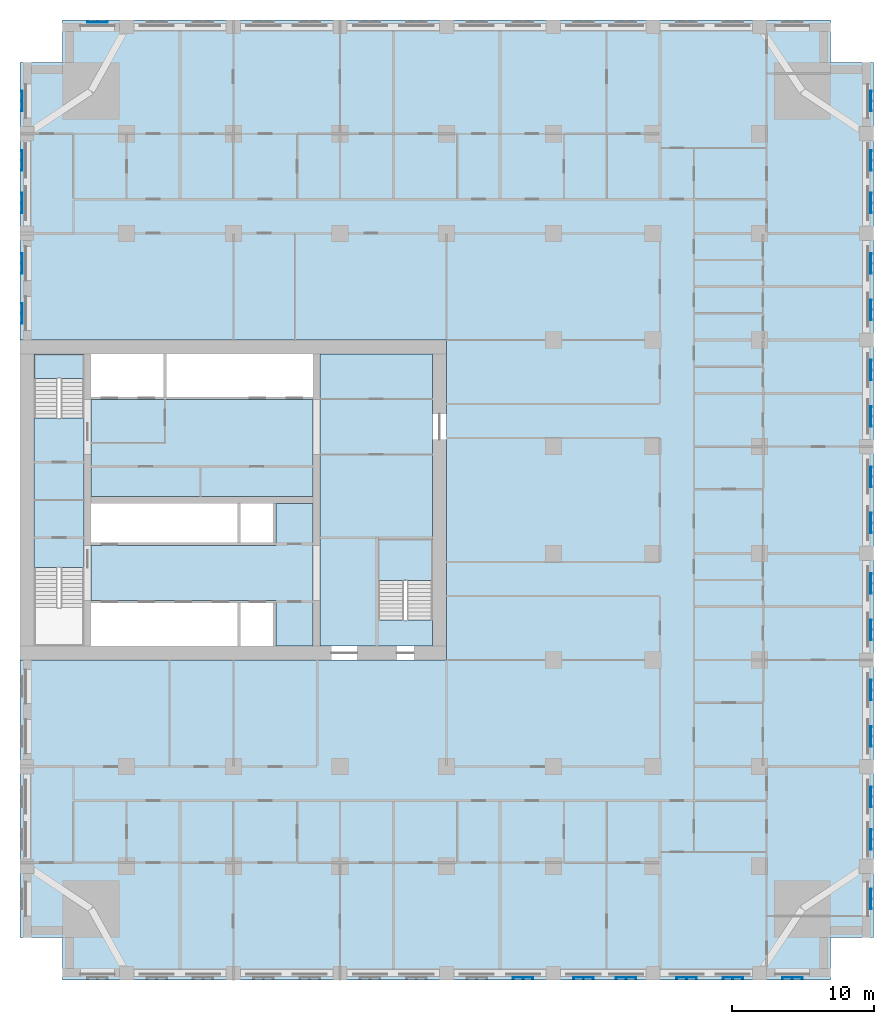
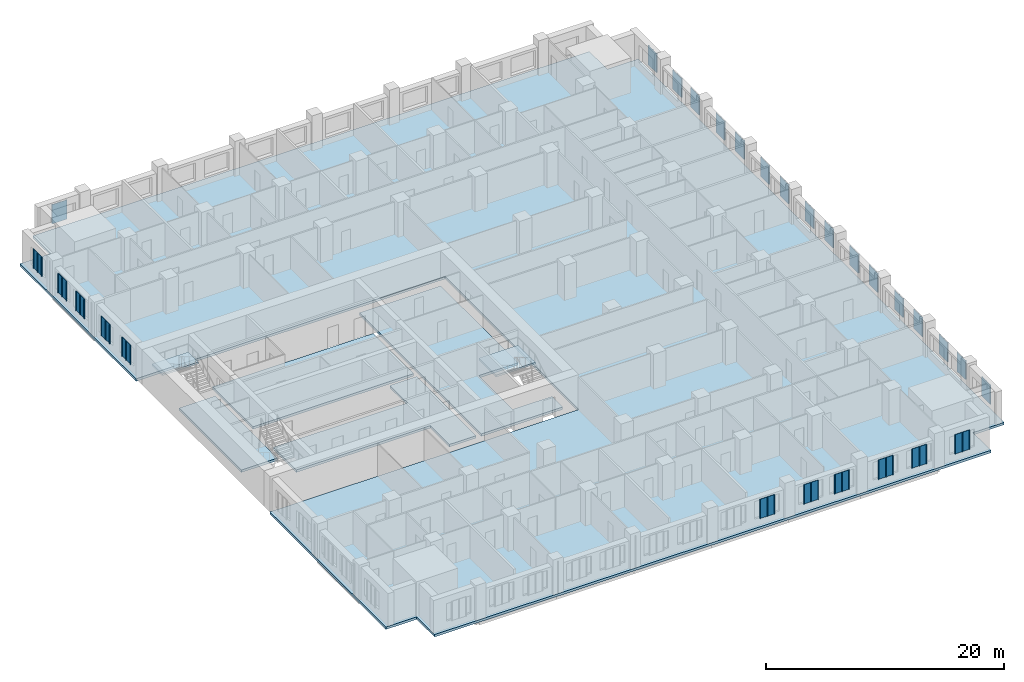
# One storey, part 2 of 14: 28 plates, 7 slabs, 2 elements without a shape of their own.
"""IFC4 building model written with IfcOpenShell, lengths in metres."""

from ifc_helpers import new_model, si_unit, direction, frame, origin, place, context, subcontext, project, spatial, polyline, outline, extrude, material, layer, layer_set, type_object, element, aggregate, save


model = new_model("IFC4")

# Units and contexts
model_context = context("Model", 3, precision=1e-05, world=origin(), true_north=direction((0.0, 1.0)))
body_context = subcontext(model_context, "Body", "Model", "MODEL_VIEW")
ifc_project = project(units=[si_unit("LENGTHUNIT", "METRE"), si_unit("AREAUNIT", "SQUARE_METRE"), si_unit("VOLUMEUNIT", "CUBIC_METRE"), si_unit("PLANEANGLEUNIT", "RADIAN"), si_unit("MASSUNIT", "GRAM", prefix="KILO")], contexts=[model_context])

# Site, building, storey
site_placement = place(None, origin())
site = spatial("IfcSite", under=ifc_project, at=site_placement, CompositionType="ELEMENT")
building_placement = place(site_placement, origin())
building = spatial("IfcBuilding", under=site, at=building_placement, Name="Tamorin Gate", CompositionType="ELEMENT")
storey_placement = place(building_placement, frame((0.0, 0.0, 41.199951171875)))
storey = spatial("IfcBuildingStorey", under=building, at=storey_placement, Name="L08", CompositionType="ELEMENT", Elevation=41.199951171875)

# Slabs
ifc_material_1 = material(Name="Concrete C40/50", Category="concrete")
ifc_layer_1 = layer(ifc_material_1, 0.25)
ifc_layer_set_1 = layer_set([ifc_layer_1], Name="Core floor slab 250 C40/50")
slab_type_1 = type_object("IfcSlabType", Name="Core floor slab 250 C40/50", PredefinedType="FLOOR", material=ifc_layer_set_1)
slab_1_placement = place(storey_placement, frame((0.0, 0.0, -0.25)))
element("IfcSlab", 1, at=slab_1_placement, inside=storey, type_object=slab_type_1, Name="Core floor L08", PredefinedType="FLOOR", context=body_context, shape_type="SweptSolid", body=[
    extrude(outline(polyline([(59.0, 62.800048828125), (59.0, 61.0), (51.10009765625, 61.0), (51.10009765625, 81.5), (59.0, 81.5), (59.0, 68.5), (55.199951171875, 68.5), (55.199951171875, 62.800048828125), (59.0, 62.800048828125)])), origin(), (0.0, 0.0, 1.0), 0.25),
])
slab_2_placement = place(storey_placement, frame((0.0, 0.0, -0.25)))
element("IfcSlab", 2, at=slab_2_placement, inside=storey, type_object=slab_type_1, Name="Core floor L08", PredefinedType="FLOOR", context=body_context, shape_type="SweptSolid", body=[
    extrude(outline(polyline([(50.60009765625, 61.0), (48.0, 61.0), (48.0, 64.199951171875), (35.0, 64.199951171875), (35.0, 68.050048828125), (48.0, 68.050048828125), (48.0, 71.0), (50.60009765625, 71.0), (50.60009765625, 61.0)])), origin(), (0.0, 0.0, 1.0), 0.25),
])
slab_3_placement = place(storey_placement, frame((0.0, 0.0, -0.25)))
element("IfcSlab", 3, at=slab_3_placement, inside=storey, type_object=slab_type_1, Name="Core floor L08", PredefinedType="FLOOR", context=body_context, shape_type="SweptSolid", body=[
    extrude(outline(polyline([(50.60009765625, 71.5), (35.0, 71.5), (35.0, 78.300048828125), (50.60009765625, 78.300048828125), (50.60009765625, 71.5)])), origin(), (0.0, 0.0, 1.0), 0.25),
])
slab_4_placement = place(storey_placement, frame((0.0, 0.0, -0.25)))
element("IfcSlab", 4, at=slab_4_placement, inside=storey, type_object=slab_type_1, Name="Core floor L08", PredefinedType="FLOOR", context=body_context, shape_type="SweptSolid", body=[
    extrude(outline(polyline([(31.0, 66.5), (31.0, 77.0), (34.5, 77.0), (34.5, 66.5), (31.0, 66.5)])), origin(), (0.0, 0.0, 1.0), 0.25),
])

# Stair, slab
stair_type = type_object("IfcStairType", Name="Exit stair", PredefinedType="HALF_TURN_STAIR", material=ifc_material_1)
stair_1_placement = place(storey_placement, origin())
stair_1 = element("IfcStair", 5, at=stair_1_placement, inside=storey, type_object=stair_type, Name="L08 stair ST2", PredefinedType="HALF_TURN_STAIR")
ifc_layer_2 = layer(ifc_material_1, 0.199951171875)
ifc_layer_set_2 = layer_set([ifc_layer_2], Name="Exit stair landing 200")
slab_type_2 = type_object("IfcSlabType", Name="Exit stair landing 200", PredefinedType="LANDING", material=ifc_layer_set_2)
slab_5_placement = place(storey_placement, frame((0.0, 0.0, 1.60009765625)))
slab_5 = element("IfcSlab", 6, at=slab_5_placement, type_object=slab_type_2, Name="ST2 landing 1", PredefinedType="LANDING", context=body_context, shape_type="SweptSolid", body=[
    extrude(outline(polyline([(34.5, 79.800048828125), (34.5, 81.5), (31.0, 81.5), (31.0, 79.800048828125), (34.5, 79.800048828125)])), origin(), (0.0, 0.0, 1.0), 0.199951171875),
])
aggregate(stair_1, [slab_5])

stair_2_placement = place(storey_placement, origin())
stair_2 = element("IfcStair", 7, at=stair_2_placement, inside=storey, type_object=stair_type, Name="L08 stair ST3", PredefinedType="HALF_TURN_STAIR")
slab_6_placement = place(storey_placement, frame((0.0, 0.0, 1.60009765625)))
slab_6 = element("IfcSlab", 8, at=slab_6_placement, type_object=slab_type_2, Name="ST3 landing 1", PredefinedType="LANDING", context=body_context, shape_type="SweptSolid", body=[
    extrude(outline(polyline([(59.0, 65.60009765625), (59.0, 68.5), (55.199951171875, 68.5), (55.199951171875, 65.60009765625), (59.0, 65.60009765625)])), origin(), (0.0, 0.0, 1.0), 0.199951171875),
])
aggregate(stair_2, [slab_6])

# Slab
ifc_layer_3 = layer(ifc_material_1, 0.25)
ifc_layer_set_3 = layer_set([ifc_layer_3], Name="Floor slab 250 C40/50")
slab_type_3 = type_object("IfcSlabType", Name="Floor slab 250 C40/50", PredefinedType="FLOOR", material=ifc_layer_set_3)
slab_7_placement = place(storey_placement, frame((0.0, 0.0, -0.25)))
element("IfcSlab", 9, at=slab_7_placement, inside=storey, type_object=slab_type_3, Name="Floor L08", PredefinedType="FLOOR", context=body_context, shape_type="SweptSolid", body=[
    extrude(outline(polyline([(30.0, 102.0), (33.0, 102.0), (33.0, 105.0), (87.0, 105.0), (87.0, 102.0), (90.0, 102.0), (90.0, 40.5), (87.0, 40.5), (87.0, 37.5), (33.0, 37.5), (33.0, 40.5), (30.0, 40.5), (30.0, 60.0), (60.0, 60.0), (60.0, 82.5), (30.0, 82.5), (30.0, 102.0)])), origin(), (0.0, 0.0, 1.0), 0.25),
])

# Plates
ifc_material_2 = material(Name="Perforated pale aluminium sheet", Category="aluminium")
ifc_layer_4 = layer(ifc_material_2, 0.0400390625)
ifc_layer_set_4 = layer_set([ifc_layer_4], Name="Pale metal solar screen 1440")
plate_type = type_object("IfcPlateType", Name="Pale metal solar screen 1440", PredefinedType="SHEET", material=ifc_layer_set_4)
plate_1_placement = place(storey_placement, frame((0.0, 0.0, 0.7099609375)))
element("IfcPlate", 10, at=plate_1_placement, inside=storey, type_object=plate_type, Name="Perforated solar screen", PredefinedType="SHEET", context=body_context, shape_type="SweptSolid", body=[
    extrude(outline(polyline([(64.655029296875, 37.659912109375), (64.655029296875, 37.699951171875), (64.715087890625, 37.699951171875), (65.344970703125, 37.699951171875), (65.405029296875, 37.699951171875), (66.034912109375, 37.699951171875), (66.094970703125, 37.699951171875), (66.094970703125, 37.659912109375), (66.094970703125, 37.60009765625), (66.034912109375, 37.60009765625), (66.034912109375, 37.659912109375), (65.405029296875, 37.659912109375), (65.405029296875, 37.60009765625), (65.344970703125, 37.60009765625), (65.344970703125, 37.659912109375), (64.715087890625, 37.659912109375), (64.715087890625, 37.60009765625), (64.655029296875, 37.60009765625), (64.655029296875, 37.659912109375)])), origin(), (0.0, 0.0, 1.0), 1.97998046875),
])
plate_2_placement = place(storey_placement, frame((0.0, 0.0, 0.7099609375)))
element("IfcPlate", 11, at=plate_2_placement, inside=storey, type_object=plate_type, Name="Perforated solar screen", PredefinedType="SHEET", context=body_context, shape_type="SweptSolid", body=[
    extrude(outline(polyline([(68.905029296875, 37.659912109375), (68.905029296875, 37.699951171875), (68.965087890625, 37.699951171875), (69.594970703125, 37.699951171875), (69.655029296875, 37.699951171875), (70.284912109375, 37.699951171875), (70.344970703125, 37.699951171875), (70.344970703125, 37.659912109375), (70.344970703125, 37.60009765625), (70.284912109375, 37.60009765625), (70.284912109375, 37.659912109375), (69.655029296875, 37.659912109375), (69.655029296875, 37.60009765625), (69.594970703125, 37.60009765625), (69.594970703125, 37.659912109375), (68.965087890625, 37.659912109375), (68.965087890625, 37.60009765625), (68.905029296875, 37.60009765625), (68.905029296875, 37.659912109375)])), origin(), (0.0, 0.0, 1.0), 1.97998046875),
])
plate_3_placement = place(storey_placement, frame((0.0, 0.0, 0.7099609375)))
element("IfcPlate", 12, at=plate_3_placement, inside=storey, type_object=plate_type, Name="Perforated solar screen", PredefinedType="SHEET", context=body_context, shape_type="SweptSolid", body=[
    extrude(outline(polyline([(71.905029296875, 37.659912109375), (71.905029296875, 37.699951171875), (71.965087890625, 37.699951171875), (72.594970703125, 37.699951171875), (72.655029296875, 37.699951171875), (73.284912109375, 37.699951171875), (73.344970703125, 37.699951171875), (73.344970703125, 37.659912109375), (73.344970703125, 37.60009765625), (73.284912109375, 37.60009765625), (73.284912109375, 37.659912109375), (72.655029296875, 37.659912109375), (72.655029296875, 37.60009765625), (72.594970703125, 37.60009765625), (72.594970703125, 37.659912109375), (71.965087890625, 37.659912109375), (71.965087890625, 37.60009765625), (71.905029296875, 37.60009765625), (71.905029296875, 37.659912109375)])), origin(), (0.0, 0.0, 1.0), 1.97998046875),
])
plate_4_placement = place(storey_placement, frame((0.0, 0.0, 0.7099609375)))
element("IfcPlate", 13, at=plate_4_placement, inside=storey, type_object=plate_type, Name="Perforated solar screen", PredefinedType="SHEET", context=body_context, shape_type="SweptSolid", body=[
    extrude(outline(polyline([(76.155029296875, 37.659912109375), (76.155029296875, 37.699951171875), (76.215087890625, 37.699951171875), (76.844970703125, 37.699951171875), (76.905029296875, 37.699951171875), (77.534912109375, 37.699951171875), (77.594970703125, 37.699951171875), (77.594970703125, 37.659912109375), (77.594970703125, 37.60009765625), (77.534912109375, 37.60009765625), (77.534912109375, 37.659912109375), (76.905029296875, 37.659912109375), (76.905029296875, 37.60009765625), (76.844970703125, 37.60009765625), (76.844970703125, 37.659912109375), (76.215087890625, 37.659912109375), (76.215087890625, 37.60009765625), (76.155029296875, 37.60009765625), (76.155029296875, 37.659912109375)])), origin(), (0.0, 0.0, 1.0), 1.97998046875),
])
plate_5_placement = place(storey_placement, frame((0.0, 0.0, 0.7099609375)))
element("IfcPlate", 14, at=plate_5_placement, inside=storey, type_object=plate_type, Name="Perforated solar screen", PredefinedType="SHEET", context=body_context, shape_type="SweptSolid", body=[
    extrude(outline(polyline([(79.405029296875, 37.659912109375), (79.405029296875, 37.699951171875), (79.465087890625, 37.699951171875), (80.094970703125, 37.699951171875), (80.155029296875, 37.699951171875), (80.784912109375, 37.699951171875), (80.844970703125, 37.699951171875), (80.844970703125, 37.659912109375), (80.844970703125, 37.60009765625), (80.784912109375, 37.60009765625), (80.784912109375, 37.659912109375), (80.155029296875, 37.659912109375), (80.155029296875, 37.60009765625), (80.094970703125, 37.60009765625), (80.094970703125, 37.659912109375), (79.465087890625, 37.659912109375), (79.465087890625, 37.60009765625), (79.405029296875, 37.60009765625), (79.405029296875, 37.659912109375)])), origin(), (0.0, 0.0, 1.0), 1.97998046875),
])
plate_6_placement = place(storey_placement, frame((0.0, 0.0, 0.7099609375)))
element("IfcPlate", 15, at=plate_6_placement, inside=storey, type_object=plate_type, Name="Perforated solar screen", PredefinedType="SHEET", context=body_context, shape_type="SweptSolid", body=[
    extrude(outline(polyline([(83.580078125, 37.659912109375), (83.580078125, 37.699951171875), (83.639892578125, 37.699951171875), (84.27001953125, 37.699951171875), (84.330078125, 37.699951171875), (84.9599609375, 37.699951171875), (85.02001953125, 37.699951171875), (85.02001953125, 37.659912109375), (85.02001953125, 37.60009765625), (84.9599609375, 37.60009765625), (84.9599609375, 37.659912109375), (84.330078125, 37.659912109375), (84.330078125, 37.60009765625), (84.27001953125, 37.60009765625), (84.27001953125, 37.659912109375), (83.639892578125, 37.659912109375), (83.639892578125, 37.60009765625), (83.580078125, 37.60009765625), (83.580078125, 37.659912109375)])), origin(), (0.0, 0.0, 1.0), 1.97998046875),
])
plate_7_placement = place(storey_placement, frame((0.0, 0.0, 0.7099609375)))
element("IfcPlate", 16, at=plate_7_placement, inside=storey, type_object=plate_type, Name="Perforated solar screen", PredefinedType="SHEET", context=body_context, shape_type="SweptSolid", body=[
    extrude(outline(polyline([(89.840087890625, 42.47998046875), (89.800048828125, 42.47998046875), (89.800048828125, 42.5400390625), (89.800048828125, 43.169921875), (89.800048828125, 43.22998046875), (89.800048828125, 43.860107421875), (89.800048828125, 43.919921875), (89.840087890625, 43.919921875), (89.89990234375, 43.919921875), (89.89990234375, 43.860107421875), (89.840087890625, 43.860107421875), (89.840087890625, 43.22998046875), (89.89990234375, 43.22998046875), (89.89990234375, 43.169921875), (89.840087890625, 43.169921875), (89.840087890625, 42.5400390625), (89.89990234375, 42.5400390625), (89.89990234375, 42.47998046875), (89.840087890625, 42.47998046875)])), origin(), (0.0, 0.0, 1.0), 1.97998046875),
])
plate_8_placement = place(storey_placement, frame((0.0, 0.0, 0.7099609375)))
element("IfcPlate", 17, at=plate_8_placement, inside=storey, type_object=plate_type, Name="Perforated solar screen", PredefinedType="SHEET", context=body_context, shape_type="SweptSolid", body=[
    extrude(outline(polyline([(89.840087890625, 46.655029296875), (89.800048828125, 46.655029296875), (89.800048828125, 46.715087890625), (89.800048828125, 47.344970703125), (89.800048828125, 47.405029296875), (89.800048828125, 48.034912109375), (89.800048828125, 48.094970703125), (89.800048828125, 48.094970703125), (89.840087890625, 48.094970703125), (89.840087890625, 48.094970703125), (89.89990234375, 48.094970703125), (89.89990234375, 48.034912109375), (89.840087890625, 48.034912109375), (89.840087890625, 47.405029296875), (89.89990234375, 47.405029296875), (89.89990234375, 47.344970703125), (89.840087890625, 47.344970703125), (89.840087890625, 46.715087890625), (89.89990234375, 46.715087890625), (89.89990234375, 46.655029296875), (89.840087890625, 46.655029296875)])), origin(), (0.0, 0.0, 1.0), 1.97998046875),
])
plate_9_placement = place(storey_placement, frame((0.0, 0.0, 0.7099609375)))
element("IfcPlate", 18, at=plate_9_placement, inside=storey, type_object=plate_type, Name="Perforated solar screen", PredefinedType="SHEET", context=body_context, shape_type="SweptSolid", body=[
    extrude(outline(polyline([(89.840087890625, 49.655029296875), (89.800048828125, 49.655029296875), (89.800048828125, 49.715087890625), (89.800048828125, 50.344970703125), (89.800048828125, 50.405029296875), (89.800048828125, 51.034912109375), (89.800048828125, 51.094970703125), (89.840087890625, 51.094970703125), (89.89990234375, 51.094970703125), (89.89990234375, 51.034912109375), (89.840087890625, 51.034912109375), (89.840087890625, 50.405029296875), (89.89990234375, 50.405029296875), (89.89990234375, 50.344970703125), (89.840087890625, 50.344970703125), (89.840087890625, 49.715087890625), (89.89990234375, 49.715087890625), (89.89990234375, 49.655029296875), (89.840087890625, 49.655029296875)])), origin(), (0.0, 0.0, 1.0), 1.97998046875),
])
plate_10_placement = place(storey_placement, frame((0.0, 0.0, 0.7099609375)))
element("IfcPlate", 19, at=plate_10_placement, inside=storey, type_object=plate_type, Name="Perforated solar screen", PredefinedType="SHEET", context=body_context, shape_type="SweptSolid", body=[
    extrude(outline(polyline([(89.840087890625, 53.905029296875), (89.800048828125, 53.905029296875), (89.800048828125, 53.965087890625), (89.800048828125, 54.594970703125), (89.800048828125, 54.655029296875), (89.800048828125, 55.284912109375), (89.800048828125, 55.344970703125), (89.840087890625, 55.344970703125), (89.89990234375, 55.344970703125), (89.89990234375, 55.284912109375), (89.840087890625, 55.284912109375), (89.840087890625, 54.655029296875), (89.89990234375, 54.655029296875), (89.89990234375, 54.594970703125), (89.840087890625, 54.594970703125), (89.840087890625, 53.965087890625), (89.89990234375, 53.965087890625), (89.89990234375, 53.905029296875), (89.840087890625, 53.905029296875)])), origin(), (0.0, 0.0, 1.0), 1.97998046875),
])
plate_11_placement = place(storey_placement, frame((0.0, 0.0, 0.7099609375)))
element("IfcPlate", 20, at=plate_11_placement, inside=storey, type_object=plate_type, Name="Perforated solar screen", PredefinedType="SHEET", context=body_context, shape_type="SweptSolid", body=[
    extrude(outline(polyline([(89.840087890625, 57.155029296875), (89.800048828125, 57.155029296875), (89.800048828125, 57.215087890625), (89.800048828125, 57.844970703125), (89.800048828125, 57.905029296875), (89.800048828125, 58.534912109375), (89.800048828125, 58.594970703125), (89.840087890625, 58.594970703125), (89.89990234375, 58.594970703125), (89.89990234375, 58.534912109375), (89.840087890625, 58.534912109375), (89.840087890625, 57.905029296875), (89.89990234375, 57.905029296875), (89.89990234375, 57.844970703125), (89.840087890625, 57.844970703125), (89.840087890625, 57.215087890625), (89.89990234375, 57.215087890625), (89.89990234375, 57.155029296875), (89.840087890625, 57.155029296875)])), origin(), (0.0, 0.0, 1.0), 1.97998046875),
])
plate_12_placement = place(storey_placement, frame((0.0, 0.0, 0.7099609375)))
element("IfcPlate", 21, at=plate_12_placement, inside=storey, type_object=plate_type, Name="Perforated solar screen", PredefinedType="SHEET", context=body_context, shape_type="SweptSolid", body=[
    extrude(outline(polyline([(89.840087890625, 61.405029296875), (89.800048828125, 61.405029296875), (89.800048828125, 61.465087890625), (89.800048828125, 62.094970703125), (89.800048828125, 62.155029296875), (89.800048828125, 62.784912109375), (89.800048828125, 62.844970703125), (89.840087890625, 62.844970703125), (89.89990234375, 62.844970703125), (89.89990234375, 62.784912109375), (89.840087890625, 62.784912109375), (89.840087890625, 62.155029296875), (89.89990234375, 62.155029296875), (89.89990234375, 62.094970703125), (89.840087890625, 62.094970703125), (89.840087890625, 61.465087890625), (89.89990234375, 61.465087890625), (89.89990234375, 61.405029296875), (89.840087890625, 61.405029296875)])), origin(), (0.0, 0.0, 1.0), 1.97998046875),
])
plate_13_placement = place(storey_placement, frame((0.0, 0.0, 0.7099609375)))
element("IfcPlate", 22, at=plate_13_placement, inside=storey, type_object=plate_type, Name="Perforated solar screen", PredefinedType="SHEET", context=body_context, shape_type="SweptSolid", body=[
    extrude(outline(polyline([(89.840087890625, 64.655029296875), (89.800048828125, 64.655029296875), (89.800048828125, 64.715087890625), (89.800048828125, 65.344970703125), (89.800048828125, 65.405029296875), (89.800048828125, 66.034912109375), (89.800048828125, 66.094970703125), (89.840087890625, 66.094970703125), (89.89990234375, 66.094970703125), (89.89990234375, 66.034912109375), (89.840087890625, 66.034912109375), (89.840087890625, 65.405029296875), (89.89990234375, 65.405029296875), (89.89990234375, 65.344970703125), (89.840087890625, 65.344970703125), (89.840087890625, 64.715087890625), (89.89990234375, 64.715087890625), (89.89990234375, 64.655029296875), (89.840087890625, 64.655029296875)])), origin(), (0.0, 0.0, 1.0), 1.97998046875),
])
plate_14_placement = place(storey_placement, frame((0.0, 0.0, 0.7099609375)))
element("IfcPlate", 23, at=plate_14_placement, inside=storey, type_object=plate_type, Name="Perforated solar screen", PredefinedType="SHEET", context=body_context, shape_type="SweptSolid", body=[
    extrude(outline(polyline([(89.840087890625, 68.905029296875), (89.800048828125, 68.905029296875), (89.800048828125, 68.965087890625), (89.800048828125, 69.594970703125), (89.800048828125, 69.655029296875), (89.800048828125, 70.284912109375), (89.800048828125, 70.344970703125), (89.840087890625, 70.344970703125), (89.89990234375, 70.344970703125), (89.89990234375, 70.284912109375), (89.840087890625, 70.284912109375), (89.840087890625, 69.655029296875), (89.89990234375, 69.655029296875), (89.89990234375, 69.594970703125), (89.840087890625, 69.594970703125), (89.840087890625, 68.965087890625), (89.89990234375, 68.965087890625), (89.89990234375, 68.905029296875), (89.840087890625, 68.905029296875)])), origin(), (0.0, 0.0, 1.0), 1.97998046875),
])
plate_15_placement = place(storey_placement, frame((0.0, 0.0, 0.7099609375)))
element("IfcPlate", 24, at=plate_15_placement, inside=storey, type_object=plate_type, Name="Perforated solar screen", PredefinedType="SHEET", context=body_context, shape_type="SweptSolid", body=[
    extrude(outline(polyline([(89.840087890625, 72.155029296875), (89.800048828125, 72.155029296875), (89.800048828125, 72.215087890625), (89.800048828125, 72.844970703125), (89.800048828125, 72.905029296875), (89.800048828125, 73.534912109375), (89.800048828125, 73.594970703125), (89.840087890625, 73.594970703125), (89.89990234375, 73.594970703125), (89.89990234375, 73.534912109375), (89.840087890625, 73.534912109375), (89.840087890625, 72.905029296875), (89.89990234375, 72.905029296875), (89.89990234375, 72.844970703125), (89.840087890625, 72.844970703125), (89.840087890625, 72.215087890625), (89.89990234375, 72.215087890625), (89.89990234375, 72.155029296875), (89.840087890625, 72.155029296875)])), origin(), (0.0, 0.0, 1.0), 1.97998046875),
])
plate_16_placement = place(storey_placement, frame((0.0, 0.0, 0.7099609375)))
element("IfcPlate", 25, at=plate_16_placement, inside=storey, type_object=plate_type, Name="Perforated solar screen", PredefinedType="SHEET", context=body_context, shape_type="SweptSolid", body=[
    extrude(outline(polyline([(89.840087890625, 76.405029296875), (89.800048828125, 76.405029296875), (89.800048828125, 76.465087890625), (89.800048828125, 77.094970703125), (89.800048828125, 77.155029296875), (89.800048828125, 77.784912109375), (89.800048828125, 77.844970703125), (89.840087890625, 77.844970703125), (89.89990234375, 77.844970703125), (89.89990234375, 77.784912109375), (89.840087890625, 77.784912109375), (89.840087890625, 77.155029296875), (89.89990234375, 77.155029296875), (89.89990234375, 77.094970703125), (89.840087890625, 77.094970703125), (89.840087890625, 76.465087890625), (89.89990234375, 76.465087890625), (89.89990234375, 76.405029296875), (89.840087890625, 76.405029296875)])), origin(), (0.0, 0.0, 1.0), 1.97998046875),
])
plate_17_placement = place(storey_placement, frame((0.0, 0.0, 0.7099609375)))
element("IfcPlate", 26, at=plate_17_placement, inside=storey, type_object=plate_type, Name="Perforated solar screen", PredefinedType="SHEET", context=body_context, shape_type="SweptSolid", body=[
    extrude(outline(polyline([(89.840087890625, 79.655029296875), (89.800048828125, 79.655029296875), (89.800048828125, 79.715087890625), (89.800048828125, 80.344970703125), (89.800048828125, 80.405029296875), (89.800048828125, 81.034912109375), (89.800048828125, 81.094970703125), (89.840087890625, 81.094970703125), (89.89990234375, 81.094970703125), (89.89990234375, 81.034912109375), (89.840087890625, 81.034912109375), (89.840087890625, 80.405029296875), (89.89990234375, 80.405029296875), (89.89990234375, 80.344970703125), (89.840087890625, 80.344970703125), (89.840087890625, 79.715087890625), (89.89990234375, 79.715087890625), (89.89990234375, 79.655029296875), (89.840087890625, 79.655029296875)])), origin(), (0.0, 0.0, 1.0), 1.97998046875),
])
plate_18_placement = place(storey_placement, frame((0.0, 0.0, 0.7099609375)))
element("IfcPlate", 27, at=plate_18_placement, inside=storey, type_object=plate_type, Name="Perforated solar screen", PredefinedType="SHEET", context=body_context, shape_type="SweptSolid", body=[
    extrude(outline(polyline([(89.840087890625, 83.905029296875), (89.800048828125, 83.905029296875), (89.800048828125, 83.965087890625), (89.800048828125, 84.594970703125), (89.800048828125, 84.655029296875), (89.800048828125, 85.284912109375), (89.800048828125, 85.344970703125), (89.840087890625, 85.344970703125), (89.89990234375, 85.344970703125), (89.89990234375, 85.284912109375), (89.840087890625, 85.284912109375), (89.840087890625, 84.655029296875), (89.89990234375, 84.655029296875), (89.89990234375, 84.594970703125), (89.840087890625, 84.594970703125), (89.840087890625, 83.965087890625), (89.89990234375, 83.965087890625), (89.89990234375, 83.905029296875), (89.840087890625, 83.905029296875)])), origin(), (0.0, 0.0, 1.0), 1.97998046875),
])
plate_19_placement = place(storey_placement, frame((0.0, 0.0, 0.7099609375)))
element("IfcPlate", 28, at=plate_19_placement, inside=storey, type_object=plate_type, Name="Perforated solar screen", PredefinedType="SHEET", context=body_context, shape_type="SweptSolid", body=[
    extrude(outline(polyline([(89.840087890625, 87.155029296875), (89.800048828125, 87.155029296875), (89.800048828125, 87.215087890625), (89.800048828125, 87.844970703125), (89.800048828125, 87.905029296875), (89.800048828125, 88.534912109375), (89.800048828125, 88.594970703125), (89.840087890625, 88.594970703125), (89.89990234375, 88.594970703125), (89.89990234375, 88.534912109375), (89.840087890625, 88.534912109375), (89.840087890625, 87.905029296875), (89.89990234375, 87.905029296875), (89.89990234375, 87.844970703125), (89.840087890625, 87.844970703125), (89.840087890625, 87.215087890625), (89.89990234375, 87.215087890625), (89.89990234375, 87.155029296875), (89.840087890625, 87.155029296875)])), origin(), (0.0, 0.0, 1.0), 1.97998046875),
])
plate_20_placement = place(storey_placement, frame((0.0, 0.0, 0.7099609375)))
element("IfcPlate", 29, at=plate_20_placement, inside=storey, type_object=plate_type, Name="Perforated solar screen", PredefinedType="SHEET", context=body_context, shape_type="SweptSolid", body=[
    extrude(outline(polyline([(89.840087890625, 91.405029296875), (89.800048828125, 91.405029296875), (89.800048828125, 91.465087890625), (89.800048828125, 92.094970703125), (89.800048828125, 92.155029296875), (89.800048828125, 92.784912109375), (89.800048828125, 92.844970703125), (89.840087890625, 92.844970703125), (89.89990234375, 92.844970703125), (89.89990234375, 92.784912109375), (89.840087890625, 92.784912109375), (89.840087890625, 92.155029296875), (89.89990234375, 92.155029296875), (89.89990234375, 92.094970703125), (89.840087890625, 92.094970703125), (89.840087890625, 91.465087890625), (89.89990234375, 91.465087890625), (89.89990234375, 91.405029296875), (89.840087890625, 91.405029296875)])), origin(), (0.0, 0.0, 1.0), 1.97998046875),
])
plate_21_placement = place(storey_placement, frame((0.0, 0.0, 0.7099609375)))
element("IfcPlate", 30, at=plate_21_placement, inside=storey, type_object=plate_type, Name="Perforated solar screen", PredefinedType="SHEET", context=body_context, shape_type="SweptSolid", body=[
    extrude(outline(polyline([(89.840087890625, 94.405029296875), (89.800048828125, 94.405029296875), (89.800048828125, 94.465087890625), (89.800048828125, 95.094970703125), (89.800048828125, 95.155029296875), (89.800048828125, 95.784912109375), (89.800048828125, 95.844970703125), (89.840087890625, 95.844970703125), (89.89990234375, 95.844970703125), (89.89990234375, 95.784912109375), (89.840087890625, 95.784912109375), (89.840087890625, 95.155029296875), (89.89990234375, 95.155029296875), (89.89990234375, 95.094970703125), (89.840087890625, 95.094970703125), (89.840087890625, 94.465087890625), (89.89990234375, 94.465087890625), (89.89990234375, 94.405029296875), (89.840087890625, 94.405029296875)])), origin(), (0.0, 0.0, 1.0), 1.97998046875),
])
plate_22_placement = place(storey_placement, frame((0.0, 0.0, 0.7099609375)))
element("IfcPlate", 31, at=plate_22_placement, inside=storey, type_object=plate_type, Name="Perforated solar screen", PredefinedType="SHEET", context=body_context, shape_type="SweptSolid", body=[
    extrude(outline(polyline([(89.840087890625, 98.580078125), (89.800048828125, 98.580078125), (89.800048828125, 98.639892578125), (89.800048828125, 99.27001953125), (89.800048828125, 99.330078125), (89.800048828125, 99.9599609375), (89.800048828125, 100.02001953125), (89.840087890625, 100.02001953125), (89.89990234375, 100.02001953125), (89.89990234375, 99.9599609375), (89.840087890625, 99.9599609375), (89.840087890625, 99.330078125), (89.89990234375, 99.330078125), (89.89990234375, 99.27001953125), (89.840087890625, 99.27001953125), (89.840087890625, 98.639892578125), (89.89990234375, 98.639892578125), (89.89990234375, 98.580078125), (89.840087890625, 98.580078125)])), origin(), (0.0, 0.0, 1.0), 1.97998046875),
])
plate_23_placement = place(storey_placement, frame((0.0, 0.0, 0.7099609375)))
element("IfcPlate", 32, at=plate_23_placement, inside=storey, type_object=plate_type, Name="Perforated solar screen", PredefinedType="SHEET", context=body_context, shape_type="SweptSolid", body=[
    extrude(outline(polyline([(36.169921875, 104.840087890625), (36.169921875, 104.800048828125), (36.110107421875, 104.800048828125), (35.47998046875, 104.800048828125), (35.419921875, 104.800048828125), (34.7900390625, 104.800048828125), (34.72998046875, 104.800048828125), (34.72998046875, 104.840087890625), (34.72998046875, 104.89990234375), (34.7900390625, 104.89990234375), (34.7900390625, 104.840087890625), (35.419921875, 104.840087890625), (35.419921875, 104.89990234375), (35.47998046875, 104.89990234375), (35.47998046875, 104.840087890625), (36.110107421875, 104.840087890625), (36.110107421875, 104.89990234375), (36.169921875, 104.89990234375), (36.169921875, 104.840087890625)])), origin(), (0.0, 0.0, 1.0), 1.97998046875),
])
plate_24_placement = place(storey_placement, frame((0.0, 0.0, 0.7099609375)))
element("IfcPlate", 33, at=plate_24_placement, inside=storey, type_object=plate_type, Name="Perforated solar screen", PredefinedType="SHEET", context=body_context, shape_type="SweptSolid", body=[
    extrude(outline(polyline([(30.159912109375, 100.02001953125), (30.199951171875, 100.02001953125), (30.199951171875, 99.9599609375), (30.199951171875, 99.330078125), (30.199951171875, 99.27001953125), (30.199951171875, 98.639892578125), (30.199951171875, 98.580078125), (30.159912109375, 98.580078125), (30.10009765625, 98.580078125), (30.10009765625, 98.639892578125), (30.159912109375, 98.639892578125), (30.159912109375, 99.27001953125), (30.10009765625, 99.27001953125), (30.10009765625, 99.330078125), (30.159912109375, 99.330078125), (30.159912109375, 99.9599609375), (30.10009765625, 99.9599609375), (30.10009765625, 100.02001953125), (30.159912109375, 100.02001953125)])), origin(), (0.0, 0.0, 1.0), 1.97998046875),
])
plate_25_placement = place(storey_placement, frame((0.0, 0.0, 0.7099609375)))
element("IfcPlate", 34, at=plate_25_placement, inside=storey, type_object=plate_type, Name="Perforated solar screen", PredefinedType="SHEET", context=body_context, shape_type="SweptSolid", body=[
    extrude(outline(polyline([(30.159912109375, 92.844970703125), (30.199951171875, 92.844970703125), (30.199951171875, 92.784912109375), (30.199951171875, 92.155029296875), (30.199951171875, 92.094970703125), (30.199951171875, 91.465087890625), (30.199951171875, 91.405029296875), (30.159912109375, 91.405029296875), (30.10009765625, 91.405029296875), (30.10009765625, 91.465087890625), (30.159912109375, 91.465087890625), (30.159912109375, 92.094970703125), (30.10009765625, 92.094970703125), (30.10009765625, 92.155029296875), (30.159912109375, 92.155029296875), (30.159912109375, 92.784912109375), (30.10009765625, 92.784912109375), (30.10009765625, 92.844970703125), (30.159912109375, 92.844970703125)])), origin(), (0.0, 0.0, 1.0), 1.97998046875),
])
plate_26_placement = place(storey_placement, frame((0.0, 0.0, 0.7099609375)))
element("IfcPlate", 35, at=plate_26_placement, inside=storey, type_object=plate_type, Name="Perforated solar screen", PredefinedType="SHEET", context=body_context, shape_type="SweptSolid", body=[
    extrude(outline(polyline([(30.159912109375, 95.844970703125), (30.199951171875, 95.844970703125), (30.199951171875, 95.784912109375), (30.199951171875, 95.155029296875), (30.199951171875, 95.094970703125), (30.199951171875, 94.465087890625), (30.199951171875, 94.405029296875), (30.199951171875, 94.405029296875), (30.159912109375, 94.405029296875), (30.159912109375, 94.405029296875), (30.10009765625, 94.405029296875), (30.10009765625, 94.465087890625), (30.159912109375, 94.465087890625), (30.159912109375, 95.094970703125), (30.10009765625, 95.094970703125), (30.10009765625, 95.155029296875), (30.159912109375, 95.155029296875), (30.159912109375, 95.784912109375), (30.10009765625, 95.784912109375), (30.10009765625, 95.844970703125), (30.159912109375, 95.844970703125)])), origin(), (0.0, 0.0, 1.0), 1.97998046875),
])
plate_27_placement = place(storey_placement, frame((0.0, 0.0, 0.7099609375)))
element("IfcPlate", 36, at=plate_27_placement, inside=storey, type_object=plate_type, Name="Perforated solar screen", PredefinedType="SHEET", context=body_context, shape_type="SweptSolid", body=[
    extrude(outline(polyline([(30.159912109375, 85.094970703125), (30.199951171875, 85.094970703125), (30.199951171875, 85.034912109375), (30.199951171875, 84.405029296875), (30.199951171875, 84.344970703125), (30.199951171875, 83.715087890625), (30.199951171875, 83.655029296875), (30.159912109375, 83.655029296875), (30.10009765625, 83.655029296875), (30.10009765625, 83.715087890625), (30.159912109375, 83.715087890625), (30.159912109375, 84.344970703125), (30.10009765625, 84.344970703125), (30.10009765625, 84.405029296875), (30.159912109375, 84.405029296875), (30.159912109375, 85.034912109375), (30.10009765625, 85.034912109375), (30.10009765625, 85.094970703125), (30.159912109375, 85.094970703125)])), origin(), (0.0, 0.0, 1.0), 1.97998046875),
])
plate_28_placement = place(storey_placement, frame((0.0, 0.0, 0.7099609375)))
element("IfcPlate", 37, at=plate_28_placement, inside=storey, type_object=plate_type, Name="Perforated solar screen", PredefinedType="SHEET", context=body_context, shape_type="SweptSolid", body=[
    extrude(outline(polyline([(30.159912109375, 88.594970703125), (30.199951171875, 88.594970703125), (30.199951171875, 88.534912109375), (30.199951171875, 87.905029296875), (30.199951171875, 87.844970703125), (30.199951171875, 87.215087890625), (30.199951171875, 87.155029296875), (30.159912109375, 87.155029296875), (30.10009765625, 87.155029296875), (30.10009765625, 87.215087890625), (30.159912109375, 87.215087890625), (30.159912109375, 87.844970703125), (30.10009765625, 87.844970703125), (30.10009765625, 87.905029296875), (30.159912109375, 87.905029296875), (30.159912109375, 88.534912109375), (30.10009765625, 88.534912109375), (30.10009765625, 88.594970703125), (30.159912109375, 88.594970703125)])), origin(), (0.0, 0.0, 1.0), 1.97998046875),
])

save(model, "model.ifc")
